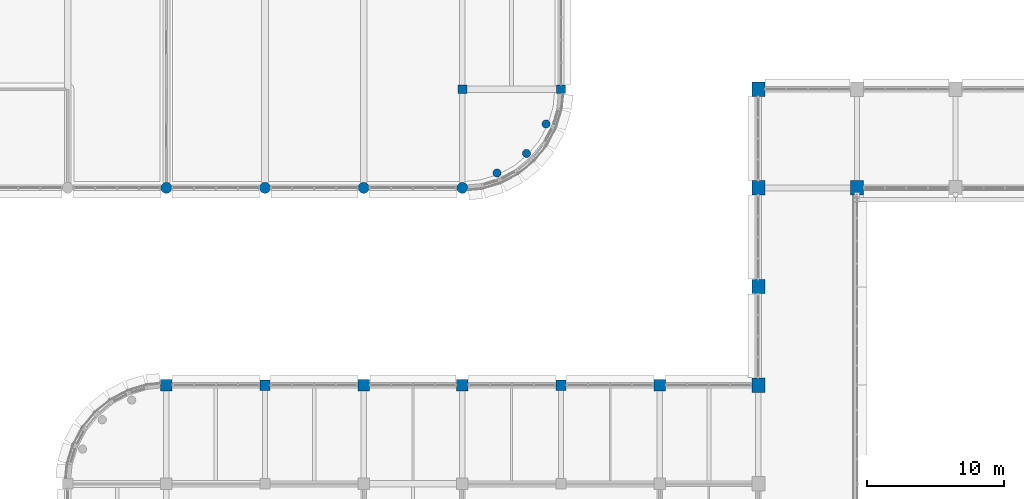
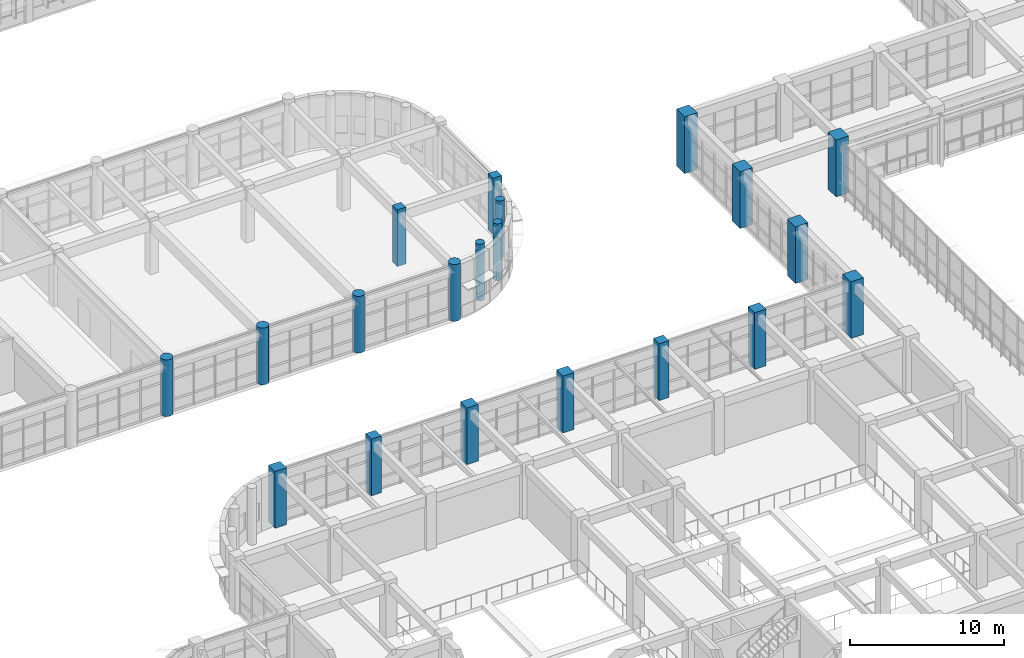
# One storey, part 3 of 171: 20 columns.
"""IFC4 building model written with IfcOpenShell, lengths in metres."""

from ifc_helpers import new_model, si_unit, direction, frame, origin, origin_2d, place, context, subcontext, project, spatial, rectangle, circle, extrude, material, material_profile, profile_set, type_object, element, save


model = new_model("IFC4")

# Units and contexts
model_context = context("Model", 3, precision=1e-05, world=origin(), true_north=direction((0.0, 1.0)))
body_context = subcontext(model_context, "Body", "Model", "MODEL_VIEW")
ifc_project = project(units=[si_unit("LENGTHUNIT", "METRE"), si_unit("AREAUNIT", "SQUARE_METRE"), si_unit("VOLUMEUNIT", "CUBIC_METRE"), si_unit("PLANEANGLEUNIT", "RADIAN"), si_unit("MASSUNIT", "GRAM", prefix="KILO")], contexts=[model_context])

# Site, building, storey
site_placement = place(None, origin())
site = spatial("IfcSite", under=ifc_project, at=site_placement, CompositionType="ELEMENT")
building_placement = place(site_placement, origin())
building = spatial("IfcBuilding", under=site, at=building_placement, Name="Thalmaran Polytechnic", CompositionType="ELEMENT")
storey_placement = place(building_placement, frame((0.0, 0.0, 5.39990234375)))
storey = spatial("IfcBuildingStorey", under=building, at=storey_placement, Name="L01", CompositionType="ELEMENT", Elevation=5.39990234375)

# Columns
ifc_material_1 = material(Name="Concrete C50/60", Category="concrete")
ifc_material_profile_1 = material_profile(ifc_material_1, rectangle(XDim=0.85009765625, YDim=0.85009765625, at=origin_2d()), Name="RC 850x850")
ifc_profile_set_1 = profile_set([ifc_material_profile_1], Name="Concrete C50/60")
column_type_1 = type_object("IfcColumnType", Name="COL-C02", PredefinedType="COLUMN", material=ifc_profile_set_1)
for number, where, z_axis, x_axis, name in (
    (1, (64.800048828125, 36.0, 0.0), (0.0, 0.0, 1.0), (1.0, 0.0, 0.0), "Column C02 L01 (9,5)"),
    (2, (79.199951171875, 36.0, 0.0), (0.0, 0.0, 1.0), (1.0, 0.0, 0.0), "Column C02 L01 (11,5)"),
    (3, (86.39990234375, 36.0, 0.0), (0.0, 0.0, 1.0), (1.0, 0.0, 0.0), "Column C02 L01 (12,5)"),
    (4, (100.800048828125, 36.0, 0.0), (0.0, 0.0, 1.0), (1.0, 0.0, 0.0), "Column C02 L01 (14,5)"),
):
    element("IfcColumn", number, at=place(storey_placement, frame(where, z_axis=z_axis, x_axis=x_axis)), inside=storey, type_object=column_type_1, Name=name, PredefinedType="COLUMN", context=body_context, shape_type="SweptSolid", body=[
        extrude(rectangle(XDim=0.85009765625, YDim=0.85009765625, at=origin_2d()), origin(), (0.0, 0.0, 1.0), 4.5),
    ])
ifc_material_profile_2 = material_profile(ifc_material_1, rectangle(XDim=0.75, YDim=0.75, at=origin_2d()), Name="RC 750x750")
ifc_profile_set_2 = profile_set([ifc_material_profile_2], Name="Concrete C50/60")
column_type_2 = type_object("IfcColumnType", Name="COL-C04", PredefinedType="COLUMN", material=ifc_profile_set_2)
for number, where, z_axis, x_axis, name in (
    (5, (72.0, 36.0, 0.0), (0.0, 0.0, 1.0), (1.0, 0.0, 0.0), "Column C04 L01 (10,5)"),
    (6, (93.60009765625, 36.0, 0.0), (0.0, 0.0, 1.0), (1.0, 0.0, 0.0), "Column C04 L01 (13,5)"),
):
    element("IfcColumn", number, at=place(storey_placement, frame(where, z_axis=z_axis, x_axis=x_axis)), inside=storey, type_object=column_type_2, Name=name, PredefinedType="COLUMN", context=body_context, shape_type="SweptSolid", body=[
        extrude(rectangle(XDim=0.75, YDim=0.75, at=origin_2d()), origin(), (0.0, 0.0, 1.0), 4.5),
    ])
ifc_material_2 = material(Name="Concrete C40/50", Category="concrete")
ifc_material_profile_3 = material_profile(ifc_material_2, rectangle(XDim=0.64990234375, YDim=0.64990234375, at=origin_2d()), Name="RC 650x650")
ifc_profile_set_3 = profile_set([ifc_material_profile_3], Name="Concrete C40/50")
column_type_3 = type_object("IfcColumnType", Name="COL-C06", PredefinedType="COLUMN", material=ifc_profile_set_3)
for number, where, z_axis, x_axis, name in (
    (7, (86.39990234375, 57.60009765625, 0.0), (0.0, 0.0, 1.0), (1.0, 0.0, 0.0), "Column C06 L01 (12,8)"),
    (8, (93.60009765625, 57.60009765625, 0.0), (0.0, 0.0, 1.0), (1.0, 0.0, 0.0), "Column C06 L01 (13,8)"),
):
    element("IfcColumn", number, at=place(storey_placement, frame(where, z_axis=z_axis, x_axis=x_axis)), inside=storey, type_object=column_type_3, Name=name, PredefinedType="COLUMN", context=body_context, shape_type="SweptSolid", body=[
        extrude(rectangle(XDim=0.64990234375, YDim=0.64990234375, at=origin_2d()), origin(), (0.0, 0.0, 1.0), 4.5),
    ])
ifc_material_profile_4 = material_profile(ifc_material_1, circle(Radius=0.39990234375, at=origin_2d()), Name="RC 800 DIA")
ifc_profile_set_4 = profile_set([ifc_material_profile_4], Name="Concrete C50/60")
column_type_4 = type_object("IfcColumnType", Name="COL-C14", PredefinedType="COLUMN", material=ifc_profile_set_4)
for number, where, z_axis, x_axis, name in (
    (9, (64.800048828125, 50.39990234375, 0.0), (0.0, 0.0, 1.0), (1.0, 0.0, 0.0), "Column C14 L01 (9,7)"),
    (10, (72.0, 50.39990234375, 0.0), (0.0, 0.0, 1.0), (1.0, 0.0, 0.0), "Column C14 L01 (10,7)"),
    (11, (79.199951171875, 50.39990234375, 0.0), (0.0, 0.0, 1.0), (1.0, 0.0, 0.0), "Column C14 L01 (11,7)"),
    (12, (86.39990234375, 50.39990234375, 0.0), (0.0, 0.0, 1.0), (1.0, 0.0, 0.0), "Column C14 L01 (12,7)"),
):
    element("IfcColumn", number, at=place(storey_placement, frame(where, z_axis=z_axis, x_axis=x_axis)), inside=storey, type_object=column_type_4, Name=name, PredefinedType="COLUMN", context=body_context, shape_type="SweptSolid", body=[
        extrude(circle(Radius=0.39990234375, at=origin_2d()), origin(), (0.0, 0.0, 1.0), 4.5),
    ])
ifc_material_profile_5 = material_profile(ifc_material_2, circle(Radius=0.300048828125, at=origin_2d()), Name="RC 600 DIA")
ifc_profile_set_5 = profile_set([ifc_material_profile_5], Name="Concrete C40/50")
column_type_5 = type_object("IfcColumnType", Name="COL-C16", PredefinedType="COLUMN", material=ifc_profile_set_5)
for number, where, z_axis, x_axis, name in (
    (13, (88.933349609375, 51.48388671875, 0.0), (0.0, 0.0, 1.0), (1.0, 0.0, 0.0), "Refectory Drum Column V6SE1 L01"),
    (14, (91.0810546875, 52.9189453125, 0.0), (0.0, 0.0, 1.0), (1.0, 0.0, 0.0), "Refectory Drum Column V6SE2 L01"),
    (15, (92.51611328125, 55.066650390625, 0.0), (0.0, 0.0, 1.0), (1.0, 0.0, 0.0), "Refectory Drum Column V6SE3 L01"),
):
    element("IfcColumn", number, at=place(storey_placement, frame(where, z_axis=z_axis, x_axis=x_axis)), inside=storey, type_object=column_type_5, Name=name, PredefinedType="COLUMN", context=body_context, shape_type="SweptSolid", body=[
        extrude(circle(Radius=0.300048828125, at=origin_2d()), origin(), (0.0, 0.0, 1.0), 4.5),
    ])
ifc_material_profile_6 = material_profile(ifc_material_1, rectangle(XDim=0.949951171875, YDim=1.050048828125, at=origin_2d()), Name="RC 950x1050")
ifc_profile_set_6 = profile_set([ifc_material_profile_6], Name="Concrete C50/60")
column_type_6 = type_object("IfcColumnType", Name="COL-WP2", PredefinedType="COLUMN", material=ifc_profile_set_6)
for number, where, z_axis, x_axis, name in (
    (16, (108.0, 36.0, 0.0), (0.0, 0.0, 1.0), (1.0, 0.0, 0.0), "Column WP2 L01 (15,5)"),
    (17, (108.0, 43.199951171875, 0.0), (0.0, 0.0, 1.0), (1.0, 0.0, 0.0), "Column WP2 L01 (15,6)"),
    (18, (108.0, 50.39990234375, 0.0), (0.0, 0.0, 1.0), (1.0, 0.0, 0.0), "Column WP2 L01 (15,7)"),
    (19, (108.0, 57.60009765625, 0.0), (0.0, 0.0, 1.0), (1.0, 0.0, 0.0), "Column WP2 L01 (15,8)"),
    (20, (115.199951171875, 50.39990234375, 0.0), (0.0, 0.0, 1.0), (1.0, 0.0, 0.0), "Column WP2 L01 (16,7)"),
):
    element("IfcColumn", number, at=place(storey_placement, frame(where, z_axis=z_axis, x_axis=x_axis)), inside=storey, type_object=column_type_6, Name=name, PredefinedType="COLUMN", context=body_context, shape_type="SweptSolid", body=[
        extrude(rectangle(XDim=0.949951171875, YDim=1.050048828125, at=origin_2d()), origin(), (0.0, 0.0, 1.0), 4.5),
    ])

save(model, "model.ifc")
